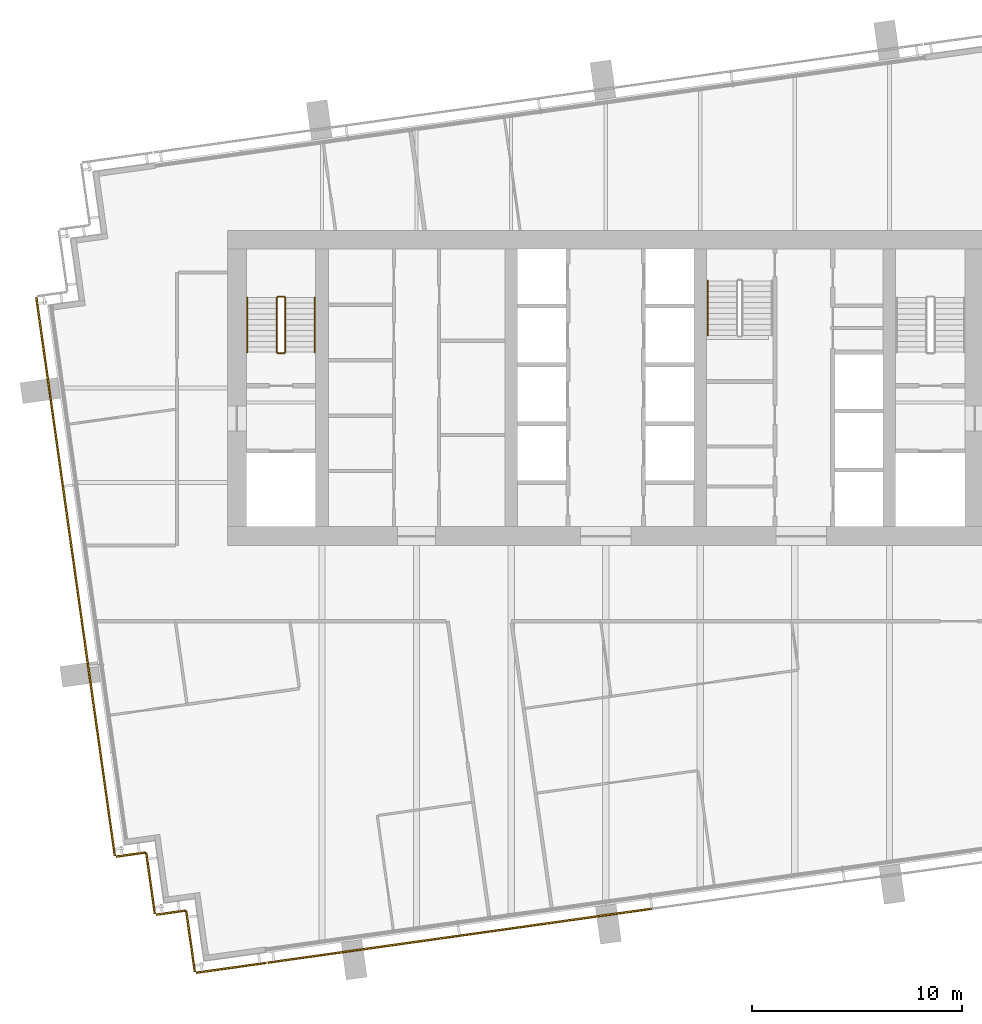
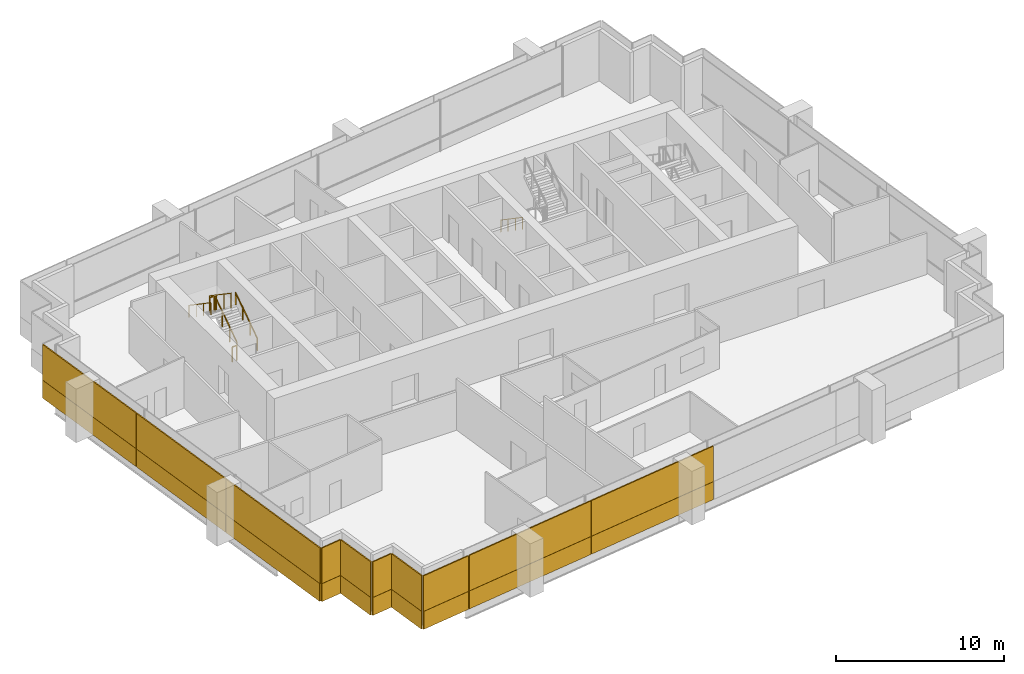
# One storey, part 12 of 15: 20 coverings, 7 railings.
"""IFC4 building model written with IfcOpenShell, lengths in metres."""

from ifc_helpers import new_model, si_unit, direction, frame, origin, origin_2d, place, context, subcontext, project, spatial, rectangle, extrude, material, layer, layer_set, type_object, element, save


model = new_model("IFC4")

# Units and contexts
model_context = context("Model", 3, precision=1e-05, world=origin(), true_north=direction((0.0, 1.0)))
body_context = subcontext(model_context, "Body", "Model", "MODEL_VIEW")
ifc_project = project(units=[si_unit("LENGTHUNIT", "METRE"), si_unit("AREAUNIT", "SQUARE_METRE"), si_unit("VOLUMEUNIT", "CUBIC_METRE"), si_unit("PLANEANGLEUNIT", "RADIAN"), si_unit("MASSUNIT", "GRAM", prefix="KILO")], contexts=[model_context])

# Site, building, storey
site_placement = place(None, origin())
site = spatial("IfcSite", under=ifc_project, at=site_placement, CompositionType="ELEMENT")
building_placement = place(site_placement, origin())
building = spatial("IfcBuilding", under=site, at=building_placement, Name="Rattan Terrace Tower", CompositionType="ELEMENT")
storey_placement = place(building_placement, frame((0.0, 0.0, 262.89990234375)))
storey = spatial("IfcBuildingStorey", under=building, at=storey_placement, Name="L60", CompositionType="ELEMENT", Elevation=262.89990234375)

# Railings
ifc_material_1 = material(Name="Powder-coated steel guard", Category="steel")
railing_type_1 = type_object("IfcRailingType", Name="Core stair guard", PredefinedType="GUARDRAIL", material=ifc_material_1)
railing_1_placement = place(storey_placement, frame((-15.25, 1.699951171875, 0.177490234375)))
element("IfcRailing", 1, at=railing_1_placement, inside=storey, type_object=railing_type_1, Name="L60 S1 stair guard 1", PredefinedType="GUARDRAIL", context=body_context, shape_type="SweptSolid", body=[
    extrude(rectangle(XDim=0.048095703125, YDim=0.048095703125, at=origin_2d()), frame((0.0, 0.0, 1.076171875), z_axis=(0.0, 0.826240473404, 0.563317565952), x_axis=(-1.0, 0.0, 0.0)), (0.0, 0.0, 1.0), 3.14697265625),
    extrude(rectangle(XDim=0.0419921875, YDim=0.0419921875, at=origin_2d()), origin(), (0.0, 0.0, 1.0), 1.052001953125),
    extrude(rectangle(XDim=0.0419921875, YDim=0.0419921875, at=origin_2d()), frame((0.0, 0.86669921875, 0.5908203125)), (0.0, 0.0, 1.0), 1.052001953125),
    extrude(rectangle(XDim=0.0419921875, YDim=0.0419921875, at=origin_2d()), frame((0.0, 1.7333984375, 1.181884765625)), (0.0, 0.0, 1.0), 1.052001953125),
    extrude(rectangle(XDim=0.0419921875, YDim=0.0419921875, at=origin_2d()), frame((0.0, 2.60009765625, 1.772705078125)), (0.0, 0.0, 1.0), 1.052001953125),
])
railing_2_placement = place(storey_placement, frame((-15.300048828125, 4.35009765625, 1.9501953125)))
element("IfcRailing", 2, at=railing_2_placement, inside=storey, type_object=railing_type_1, Name="L60 S1 stair guard 2", PredefinedType="GUARDRAIL", context=body_context, shape_type="SweptSolid", body=[
    extrude(rectangle(XDim=0.048095703125, YDim=0.048095703125, at=origin_2d()), frame((0.0, 0.0, 1.076171875), z_axis=(-1.0, 0.0, 0.0), x_axis=(0.0, -1.0, 0.0)), (0.0, 0.0, 1.0), 0.300048828125),
    extrude(rectangle(XDim=0.0419921875, YDim=0.0419921875, at=origin_2d()), origin(), (0.0, 0.0, 1.0), 1.052001953125),
    extrude(rectangle(XDim=0.0419921875, YDim=0.0419921875, at=origin_2d()), frame((-0.300048828125, 0.0, 0.0)), (0.0, 0.0, 1.0), 1.052001953125),
])
railing_3_placement = place(storey_placement, frame((-15.64990234375, 4.300048828125, 2.12744140625)))
element("IfcRailing", 3, at=railing_3_placement, inside=storey, type_object=railing_type_1, Name="L60 S1 stair guard 3", PredefinedType="GUARDRAIL", context=body_context, shape_type="SweptSolid", body=[
    extrude(rectangle(XDim=0.048095703125, YDim=0.048095703125, at=origin_2d()), frame((0.0, 0.0, 1.076171875), z_axis=(0.0, -0.826240473404, 0.563317565952), x_axis=(1.0, 0.0, 0.0)), (0.0, 0.0, 1.0), 3.14697265625),
    extrude(rectangle(XDim=0.0419921875, YDim=0.0419921875, at=origin_2d()), origin(), (0.0, 0.0, 1.0), 1.052001953125),
    extrude(rectangle(XDim=0.0419921875, YDim=0.0419921875, at=origin_2d()), frame((0.0, -0.86669921875, 0.5908203125)), (0.0, 0.0, 1.0), 1.052001953125),
    extrude(rectangle(XDim=0.0419921875, YDim=0.0419921875, at=origin_2d()), frame((0.0, -1.7333984375, 1.181884765625)), (0.0, 0.0, 1.0), 1.052001953125),
    extrude(rectangle(XDim=0.0419921875, YDim=0.0419921875, at=origin_2d()), frame((0.0, -2.60009765625, 1.772705078125)), (0.0, 0.0, 1.0), 1.052001953125),
])
railing_4_placement = place(storey_placement, frame((-15.300048828125, 1.64990234375, 0.0)))
element("IfcRailing", 4, at=railing_4_placement, inside=storey, type_object=railing_type_1, Name="L60 S1 stair guard 4", PredefinedType="GUARDRAIL", context=body_context, shape_type="SweptSolid", body=[
    extrude(rectangle(XDim=0.048095703125, YDim=0.048095703125, at=origin_2d()), frame((0.0, 0.0, 1.076171875), z_axis=(-1.0, 0.0, 0.0), x_axis=(0.0, -1.0, 0.0)), (0.0, 0.0, 1.0), 0.300048828125),
    extrude(rectangle(XDim=0.0419921875, YDim=0.0419921875, at=origin_2d()), origin(), (0.0, 0.0, 1.0), 1.052001953125),
    extrude(rectangle(XDim=0.0419921875, YDim=0.0419921875, at=origin_2d()), frame((-0.300048828125, 0.0, 0.0)), (0.0, 0.0, 1.0), 1.052001953125),
])
ifc_material_2 = material(Name="Powder-coated steel handrail", Category="steel")
railing_type_2 = type_object("IfcRailingType", Name="Core stair handrail", PredefinedType="HANDRAIL", material=ifc_material_2)
railing_5_placement = place(storey_placement, frame((-13.85009765625, 1.699951171875, 0.177490234375)))
element("IfcRailing", 5, at=railing_5_placement, inside=storey, type_object=railing_type_2, Name="L60 S1 stair handrail 1", PredefinedType="HANDRAIL", context=body_context, shape_type="SweptSolid", body=[
    extrude(rectangle(XDim=0.048095703125, YDim=0.048095703125, at=origin_2d()), frame((0.0, 0.0, 0.8759765625), z_axis=(0.0, 0.826240473404, 0.563317565952), x_axis=(-1.0, 0.0, 0.0)), (0.0, 0.0, 1.0), 3.14697265625),
    extrude(rectangle(XDim=0.0419921875, YDim=0.0419921875, at=origin_2d()), origin(), (0.0, 0.0, 1.0), 0.851806640625),
    extrude(rectangle(XDim=0.0419921875, YDim=0.0419921875, at=origin_2d()), frame((0.0, 0.86669921875, 0.5908203125)), (0.0, 0.0, 1.0), 0.851806640625),
    extrude(rectangle(XDim=0.0419921875, YDim=0.0419921875, at=origin_2d()), frame((0.0, 1.7333984375, 1.181884765625)), (0.0, 0.0, 1.0), 0.851806640625),
    extrude(rectangle(XDim=0.0419921875, YDim=0.0419921875, at=origin_2d()), frame((0.0, 2.60009765625, 1.772705078125)), (0.0, 0.0, 1.0), 0.851806640625),
])
for number, where, name in (
    (6, (-17.050048828125, 4.300048828125, 2.12744140625), "L60 S1 stair handrail 2"),
    (7, (4.85009765625, 5.10009765625, 0.177490234375), "L60 S3 stair handrail 1"),
):
    element("IfcRailing", number, at=place(storey_placement, frame(where)), inside=storey, type_object=railing_type_2, Name=name, PredefinedType="HANDRAIL", context=body_context, shape_type="SweptSolid", body=[
        extrude(rectangle(XDim=0.048095703125, YDim=0.048095703125, at=origin_2d()), frame((0.0, 0.0, 0.8759765625), z_axis=(0.0, -0.826240473404, 0.563317565952), x_axis=(1.0, 0.0, 0.0)), (0.0, 0.0, 1.0), 3.14697265625),
        extrude(rectangle(XDim=0.0419921875, YDim=0.0419921875, at=origin_2d()), origin(), (0.0, 0.0, 1.0), 0.851806640625),
        extrude(rectangle(XDim=0.0419921875, YDim=0.0419921875, at=origin_2d()), frame((0.0, -0.86669921875, 0.5908203125)), (0.0, 0.0, 1.0), 0.851806640625),
        extrude(rectangle(XDim=0.0419921875, YDim=0.0419921875, at=origin_2d()), frame((0.0, -1.7333984375, 1.181884765625)), (0.0, 0.0, 1.0), 0.851806640625),
        extrude(rectangle(XDim=0.0419921875, YDim=0.0419921875, at=origin_2d()), frame((0.0, -2.60009765625, 1.772705078125)), (0.0, 0.0, 1.0), 0.851806640625),
    ])

# Coverings
ifc_material_3 = material(Name="Solid terracotta", Category="masonry")
ifc_layer_1 = layer(ifc_material_3, 0.090087890625)
ifc_layer_set_1 = layer_set([ifc_layer_1], Name="Facade Terracotta Band Panel HZ")
covering_type_1 = type_object("IfcCoveringType", Name="Facade Terracotta Band Panel HZ", PredefinedType="CLADDING", material=ifc_layer_set_1)
covering_1_placement = place(storey_placement, frame((-26.45751953125, -0.18408203125, -0.18994140625), z_axis=(0.0, 0.0, 1.0), x_axis=(0.139191775431, -0.990265444036, 0.0)))
element("IfcCovering", 8, at=covering_1_placement, inside=storey, type_object=covering_type_1, Name="OUTER SKIN panel L60-23A", PredefinedType="CLADDING", context=body_context, shape_type="SweptSolid", body=[
    extrude(rectangle(XDim=9.06689453125, YDim=0.090087890625, at=origin_2d()), origin(), (0.0, 0.0, 1.0), 1.300048828125),
])
covering_2_placement = place(storey_placement, frame((-25.221923828125, -8.974609375, -0.18994140625), z_axis=(0.0, 0.0, 1.0), x_axis=(0.139191775431, -0.990265444036, 0.0)))
element("IfcCovering", 9, at=covering_2_placement, inside=storey, type_object=covering_type_1, Name="OUTER SKIN panel L60-24A", PredefinedType="CLADDING", context=body_context, shape_type="SweptSolid", body=[
    extrude(rectangle(XDim=8.64697265625, YDim=0.090087890625, at=origin_2d()), origin(), (0.0, 0.0, 1.0), 1.300048828125),
])
covering_3_placement = place(storey_placement, frame((-23.986328125, -17.764892578125, -0.18994140625), z_axis=(0.0, 0.0, 1.0), x_axis=(0.139191775431, -0.990265444036, 0.0)))
element("IfcCovering", 10, at=covering_3_placement, inside=storey, type_object=covering_type_1, Name="OUTER SKIN panel L60-25A", PredefinedType="CLADDING", context=body_context, shape_type="SweptSolid", body=[
    extrude(rectangle(XDim=9.066162109375, YDim=0.090087890625, at=origin_2d()), origin(), (0.0, 0.0, 1.0), 1.300048828125),
])
covering_4_placement = place(storey_placement, frame((-22.59033203125, -22.20166015625, -0.18994140625), z_axis=(0.0, 0.0, 1.0), x_axis=(0.990240767803, 0.139367219175, 0.0)))
element("IfcCovering", 11, at=covering_4_placement, inside=storey, type_object=covering_type_1, Name="OUTER SKIN panel L60-26A", PredefinedType="CLADDING", context=body_context, shape_type="SweptSolid", body=[
    extrude(rectangle(XDim=1.419677734375, YDim=0.090087890625, at=origin_2d()), origin(), (0.0, 0.0, 1.0), 1.300048828125),
])
covering_5_placement = place(storey_placement, frame((-21.65576171875, -23.56982421875, -0.18994140625), z_axis=(0.0, 0.0, 1.0), x_axis=(0.139321220646, -0.990247240581, 0.0)))
element("IfcCovering", 12, at=covering_5_placement, inside=storey, type_object=covering_type_1, Name="OUTER SKIN panel L60-27A", PredefinedType="CLADDING", context=body_context, shape_type="SweptSolid", body=[
    extrude(rectangle(XDim=2.919921875, YDim=0.090087890625, at=origin_2d()), origin(), (0.0, 0.0, 1.0), 1.300048828125),
])
covering_6_placement = place(storey_placement, frame((-20.687255859375, -24.9638671875, -0.18994140625), z_axis=(0.0, 0.0, 1.0), x_axis=(0.990332587523, 0.138713251317, 0.0)))
element("IfcCovering", 13, at=covering_6_placement, inside=storey, type_object=covering_type_1, Name="OUTER SKIN panel L60-28A", PredefinedType="CLADDING", context=body_context, shape_type="SweptSolid", body=[
    extrude(rectangle(XDim=1.41943359375, YDim=0.090087890625, at=origin_2d()), origin(), (0.0, 0.0, 1.0), 1.300048828125),
])
covering_7_placement = place(storey_placement, frame((-19.752685546875, -26.332275390625, -0.18994140625), z_axis=(0.0, 0.0, 1.0), x_axis=(0.139367219175, -0.990240767803, 0.0)))
element("IfcCovering", 14, at=covering_7_placement, inside=storey, type_object=covering_type_1, Name="OUTER SKIN panel L60-29A", PredefinedType="CLADDING", context=body_context, shape_type="SweptSolid", body=[
    extrude(rectangle(XDim=2.91943359375, YDim=0.090087890625, at=origin_2d()), origin(), (0.0, 0.0, 1.0), 1.300048828125),
])
covering_8_placement = place(storey_placement, frame((-17.819091796875, -27.59033203125, -0.18994140625), z_axis=(0.0, 0.0, 1.0), x_axis=(0.990286729519, 0.139040257974, 0.0)))
element("IfcCovering", 15, at=covering_8_placement, inside=storey, type_object=covering_type_1, Name="OUTER SKIN panel L60-30A", PredefinedType="CLADDING", context=body_context, shape_type="SweptSolid", body=[
    extrude(rectangle(XDim=3.368896484375, YDim=0.090087890625, at=origin_2d()), origin(), (0.0, 0.0, 1.0), 1.300048828125),
])
covering_9_placement = place(storey_placement, frame((-11.516845703125, -26.70458984375, -0.18994140625), z_axis=(0.0, 0.0, 1.0), x_axis=(0.990265894013, 0.139188574079, 0.0)))
element("IfcCovering", 16, at=covering_9_placement, inside=storey, type_object=covering_type_1, Name="OUTER SKIN panel L60-31A", PredefinedType="CLADDING", context=body_context, shape_type="SweptSolid", body=[
    extrude(rectangle(XDim=9.198974609375, YDim=0.090087890625, at=origin_2d()), origin(), (0.0, 0.0, 1.0), 1.300048828125),
])
covering_10_placement = place(storey_placement, frame((-2.372802734375, -25.41943359375, -0.18994140625), z_axis=(0.0, 0.0, 1.0), x_axis=(0.990265894013, 0.139188574079, 0.0)))
element("IfcCovering", 17, at=covering_10_placement, inside=storey, type_object=covering_type_1, Name="OUTER SKIN panel L60-32A", PredefinedType="CLADDING", context=body_context, shape_type="SweptSolid", body=[
    extrude(rectangle(XDim=9.22900390625, YDim=0.090087890625, at=origin_2d()), origin(), (0.0, 0.0, 1.0), 1.300048828125),
])
ifc_material_4 = material(Name="Perforated terracotta", Category="masonry")
ifc_layer_2 = layer(ifc_material_4, 0.080078125)
ifc_layer_set_2 = layer_set([ifc_layer_2], Name="Facade Terracotta Screen Panel HZ")
covering_type_2 = type_object("IfcCoveringType", Name="Facade Terracotta Screen Panel HZ", PredefinedType="CLADDING", material=ifc_layer_set_2)
covering_11_placement = place(storey_placement, frame((-26.45263671875, -0.183349609375, 1.110107421875), z_axis=(0.0, 0.0, 1.0), x_axis=(0.139191775431, -0.990265444036, 0.0)))
element("IfcCovering", 18, at=covering_11_placement, inside=storey, type_object=covering_type_2, Name="OUTER SKIN panel L60-23B", PredefinedType="CLADDING", context=body_context, shape_type="SweptSolid", body=[
    extrude(rectangle(XDim=9.06689453125, YDim=0.080078125, at=origin_2d()), origin(), (0.0, 0.0, 1.0), 2.580078125),
])
covering_12_placement = place(storey_placement, frame((-25.217041015625, -8.973876953125, 1.110107421875), z_axis=(0.0, 0.0, 1.0), x_axis=(0.139191775431, -0.990265444036, 0.0)))
element("IfcCovering", 19, at=covering_12_placement, inside=storey, type_object=covering_type_2, Name="OUTER SKIN panel L60-24B", PredefinedType="CLADDING", context=body_context, shape_type="SweptSolid", body=[
    extrude(rectangle(XDim=8.64697265625, YDim=0.080078125, at=origin_2d()), origin(), (0.0, 0.0, 1.0), 2.580078125),
])
covering_13_placement = place(storey_placement, frame((-23.9814453125, -17.76416015625, 1.110107421875), z_axis=(0.0, 0.0, 1.0), x_axis=(0.139191775431, -0.990265444036, 0.0)))
element("IfcCovering", 20, at=covering_13_placement, inside=storey, type_object=covering_type_2, Name="OUTER SKIN panel L60-25B", PredefinedType="CLADDING", context=body_context, shape_type="SweptSolid", body=[
    extrude(rectangle(XDim=9.066162109375, YDim=0.080078125, at=origin_2d()), origin(), (0.0, 0.0, 1.0), 2.580078125),
])
covering_14_placement = place(storey_placement, frame((-22.591064453125, -22.19677734375, 1.110107421875), z_axis=(0.0, 0.0, 1.0), x_axis=(0.990240767803, 0.139367219175, 0.0)))
element("IfcCovering", 21, at=covering_14_placement, inside=storey, type_object=covering_type_2, Name="OUTER SKIN panel L60-26B", PredefinedType="CLADDING", context=body_context, shape_type="SweptSolid", body=[
    extrude(rectangle(XDim=1.419677734375, YDim=0.080078125, at=origin_2d()), origin(), (0.0, 0.0, 1.0), 2.580078125),
])
covering_15_placement = place(storey_placement, frame((-21.65087890625, -23.569091796875, 1.110107421875), z_axis=(0.0, 0.0, 1.0), x_axis=(0.139321220646, -0.990247240581, 0.0)))
element("IfcCovering", 22, at=covering_15_placement, inside=storey, type_object=covering_type_2, Name="OUTER SKIN panel L60-27B", PredefinedType="CLADDING", context=body_context, shape_type="SweptSolid", body=[
    extrude(rectangle(XDim=2.919921875, YDim=0.080078125, at=origin_2d()), origin(), (0.0, 0.0, 1.0), 2.580078125),
])
covering_16_placement = place(storey_placement, frame((-20.68798828125, -24.958984375, 1.110107421875), z_axis=(0.0, 0.0, 1.0), x_axis=(0.990332587523, 0.138713251317, 0.0)))
element("IfcCovering", 23, at=covering_16_placement, inside=storey, type_object=covering_type_2, Name="OUTER SKIN panel L60-28B", PredefinedType="CLADDING", context=body_context, shape_type="SweptSolid", body=[
    extrude(rectangle(XDim=1.41943359375, YDim=0.080078125, at=origin_2d()), origin(), (0.0, 0.0, 1.0), 2.580078125),
])
covering_17_placement = place(storey_placement, frame((-19.747802734375, -26.33154296875, 1.110107421875), z_axis=(0.0, 0.0, 1.0), x_axis=(0.139367219175, -0.990240767803, 0.0)))
element("IfcCovering", 24, at=covering_17_placement, inside=storey, type_object=covering_type_2, Name="OUTER SKIN panel L60-29B", PredefinedType="CLADDING", context=body_context, shape_type="SweptSolid", body=[
    extrude(rectangle(XDim=2.91943359375, YDim=0.080078125, at=origin_2d()), origin(), (0.0, 0.0, 1.0), 2.580078125),
])
covering_18_placement = place(storey_placement, frame((-17.81982421875, -27.585205078125, 1.110107421875), z_axis=(0.0, 0.0, 1.0), x_axis=(0.990286729519, 0.139040257974, 0.0)))
element("IfcCovering", 25, at=covering_18_placement, inside=storey, type_object=covering_type_2, Name="OUTER SKIN panel L60-30B", PredefinedType="CLADDING", context=body_context, shape_type="SweptSolid", body=[
    extrude(rectangle(XDim=3.368896484375, YDim=0.080078125, at=origin_2d()), origin(), (0.0, 0.0, 1.0), 2.580078125),
])
covering_19_placement = place(storey_placement, frame((-11.517578125, -26.69970703125, 1.110107421875), z_axis=(0.0, 0.0, 1.0), x_axis=(0.990265894013, 0.139188574079, 0.0)))
element("IfcCovering", 26, at=covering_19_placement, inside=storey, type_object=covering_type_2, Name="OUTER SKIN panel L60-31B", PredefinedType="CLADDING", context=body_context, shape_type="SweptSolid", body=[
    extrude(rectangle(XDim=9.198974609375, YDim=0.080078125, at=origin_2d()), origin(), (0.0, 0.0, 1.0), 2.580078125),
])
covering_20_placement = place(storey_placement, frame((-2.37353515625, -25.41455078125, 1.110107421875), z_axis=(0.0, 0.0, 1.0), x_axis=(0.990265894013, 0.139188574079, 0.0)))
element("IfcCovering", 27, at=covering_20_placement, inside=storey, type_object=covering_type_2, Name="OUTER SKIN panel L60-32B", PredefinedType="CLADDING", context=body_context, shape_type="SweptSolid", body=[
    extrude(rectangle(XDim=9.22900390625, YDim=0.080078125, at=origin_2d()), origin(), (0.0, 0.0, 1.0), 2.580078125),
])

save(model, "model.ifc")
